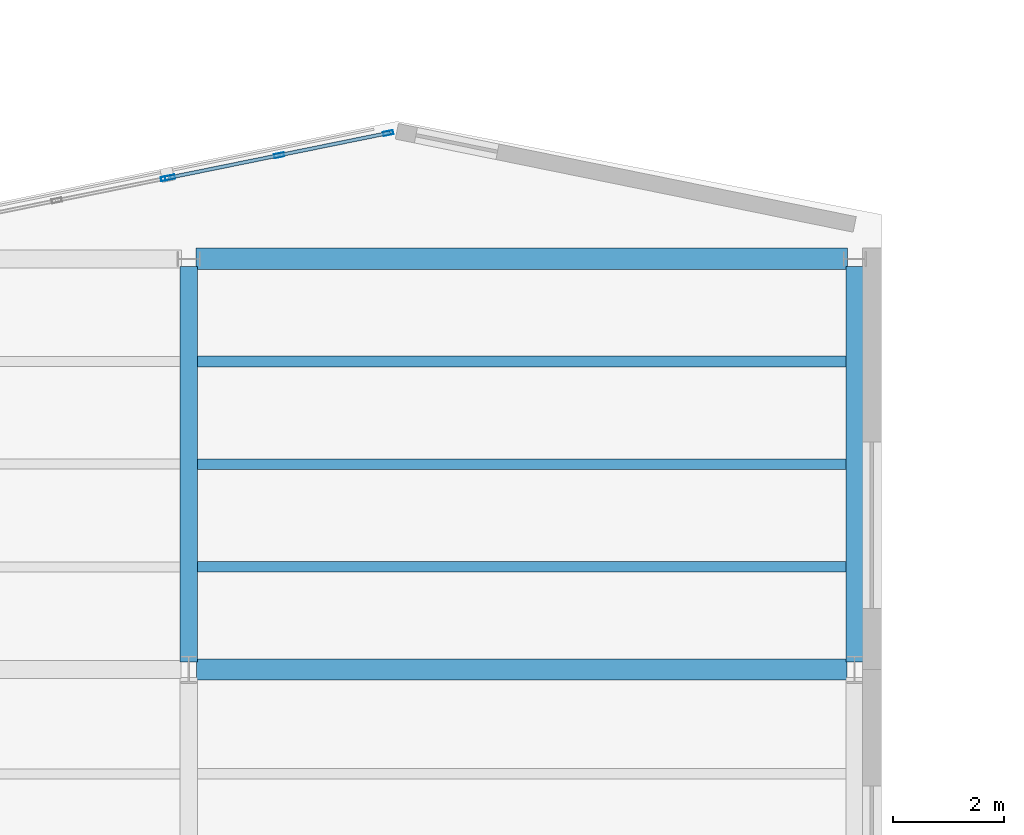
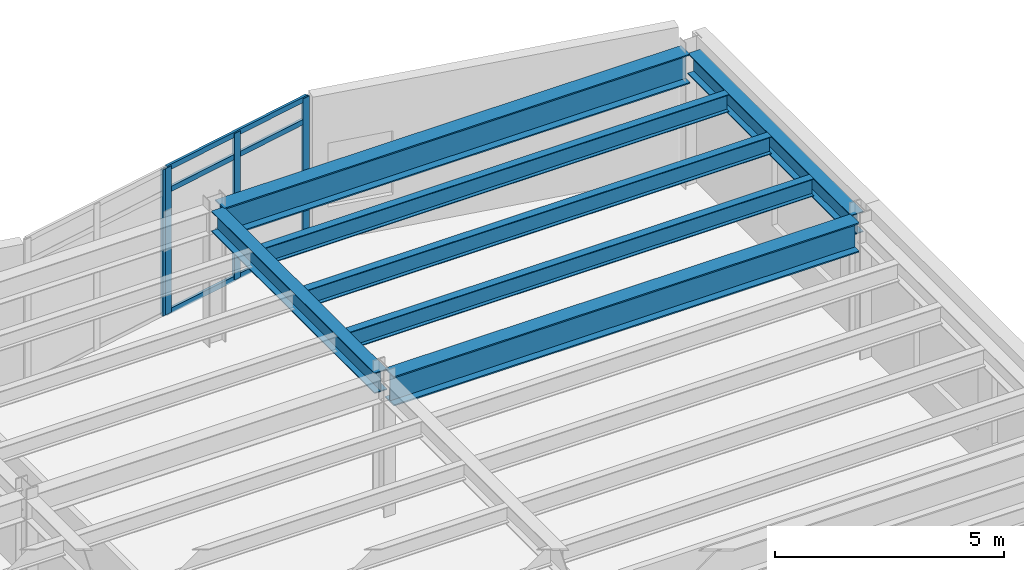
# One storey, part 24 of 59: 7 beams, 7 members, 2 elements without a shape of their own.
"""IFC4 building model written with IfcOpenShell, lengths in metres."""

from ifc_helpers import new_model, si_unit, direction, frame, origin, origin_2d, place, context, subcontext, project, spatial, hollow_rectangle, i_section, extrude, material, layer, layer_set, material_profile, profile_set, type_object, element, aggregate, save


model = new_model("IFC4")

# Units and contexts
model_context = context("Model", 3, precision=1e-05, world=origin(), true_north=direction((0.0, 1.0)))
body_context = subcontext(model_context, "Body", "Model", "MODEL_VIEW")
ifc_project = project(units=[si_unit("LENGTHUNIT", "METRE"), si_unit("AREAUNIT", "SQUARE_METRE"), si_unit("VOLUMEUNIT", "CUBIC_METRE"), si_unit("PLANEANGLEUNIT", "RADIAN"), si_unit("MASSUNIT", "GRAM", prefix="KILO")], contexts=[model_context])

# Site, building, storey
site_placement = place(None, origin())
site = spatial("IfcSite", under=ifc_project, at=site_placement, CompositionType="ELEMENT")
building_placement = place(site_placement, origin())
building = spatial("IfcBuilding", under=site, at=building_placement, Name="Sollismere Congress Hotel", CompositionType="ELEMENT")
storey_placement = place(building_placement, frame((0.0, 0.0, 15.60009765625)))
storey = spatial("IfcBuildingStorey", under=building, at=storey_placement, Name="L03", CompositionType="ELEMENT", Elevation=15.60009765625)

# Beams
ifc_material_1 = material(Name="Steel ASTM A992 Grade 50", Category="steel")
ifc_material_profile_1 = material_profile(ifc_material_1, i_section(OverallWidth=0.31494140625, OverallDepth=0.551025390625, WebThickness=0.01513671875, FlangeThickness=0.0244140625, at=origin_2d()), Name="W21X122")
ifc_profile_set_1 = profile_set([ifc_material_profile_1], Name="Steel ASTM A992 Grade 50")
beam_type_1 = type_object("IfcBeamType", Name="BM-G21H", PredefinedType="BEAM", material=ifc_profile_set_1)
for number, where, z_axis, x_axis, name in (
    (1, (112.0, 95.139892578125, 3.349365234375), (0.0, 1.0, 0.0), (-1.0, 0.0, 0.0), "Beam BM-L03-2453"),
    (2, (124.0, 95.139892578125, 3.349365234375), (0.0, 1.0, 0.0), (-1.0, 0.0, 0.0), "Beam BM-L03-2458"),
):
    element("IfcBeam", number, at=place(storey_placement, frame(where, z_axis=z_axis, x_axis=x_axis)), inside=storey, type_object=beam_type_1, Name=name, PredefinedType="BEAM", context=body_context, shape_type="SweptSolid", body=[
        extrude(i_section(OverallWidth=0.31494140625, OverallDepth=0.551025390625, WebThickness=0.01513671875, FlangeThickness=0.0244140625, at=origin_2d()), origin(), (0.0, 0.0, 1.0), 7.1201171875),
    ])
ifc_material_profile_2 = material_profile(ifc_material_1, i_section(OverallWidth=0.384033203125, OverallDepth=0.787109375, WebThickness=0.019775390625, FlangeThickness=0.033447265625, at=origin_2d()), Name="W30X211")
ifc_profile_set_2 = profile_set([ifc_material_profile_2], Name="Steel ASTM A992 Grade 50")
beam_type_2 = type_object("IfcBeamType", Name="BM-G30", PredefinedType="BEAM", material=ifc_profile_set_2)
beam_1_placement = place(storey_placement, frame((112.139892578125, 95.0, 3.2314453125), z_axis=(1.0, 0.0, 0.0), x_axis=(0.0, 1.0, 0.0)))
element("IfcBeam", 3, at=beam_1_placement, inside=storey, type_object=beam_type_2, Name="Beam BM-L03-2397", PredefinedType="BEAM", context=body_context, shape_type="SweptSolid", body=[
    extrude(i_section(OverallWidth=0.384033203125, OverallDepth=0.787109375, WebThickness=0.019775390625, FlangeThickness=0.033447265625, at=origin_2d()), origin(), (0.0, 0.0, 1.0), 11.72021484375),
])
beam_2_placement = place(storey_placement, frame((112.131103515625, 102.39990234375, 3.2314453125), z_axis=(1.0, 0.0, 0.0), x_axis=(0.0, 1.0, 0.0)))
element("IfcBeam", 4, at=beam_2_placement, inside=storey, type_object=beam_type_2, Name="Beam BM-L03-2404", PredefinedType="BEAM", context=body_context, shape_type="SweptSolid", body=[
    extrude(i_section(OverallWidth=0.384033203125, OverallDepth=0.787109375, WebThickness=0.019775390625, FlangeThickness=0.033447265625, at=origin_2d()), origin(), (0.0, 0.0, 1.0), 11.73779296875),
])
ifc_material_profile_3 = material_profile(ifc_material_1, i_section(OverallWidth=0.193115234375, OverallDepth=0.467041015625, WebThickness=0.011474609375, FlangeThickness=0.01904296875, at=origin_2d()), Name="W18X65")
ifc_profile_set_3 = profile_set([ifc_material_profile_3], Name="Steel ASTM A992 Grade 50")
beam_type_3 = type_object("IfcBeamType", Name="BM-J18", PredefinedType="JOIST", material=ifc_profile_set_3)
for number, where, z_axis, x_axis, name in (
    (5, (112.157470703125, 96.85009765625, 3.391357421875), (1.0, 0.0, 0.0), (0.0, 1.0, 0.0), "Beam BM-L03-2610"),
    (6, (112.157470703125, 98.699951171875, 3.391357421875), (1.0, 0.0, 0.0), (0.0, 1.0, 0.0), "Beam BM-L03-2611"),
    (7, (112.157470703125, 100.550048828125, 3.391357421875), (1.0, 0.0, 0.0), (0.0, 1.0, 0.0), "Beam BM-L03-2612"),
):
    element("IfcBeam", number, at=place(storey_placement, frame(where, z_axis=z_axis, x_axis=x_axis)), inside=storey, type_object=beam_type_3, Name=name, PredefinedType="JOIST", context=body_context, shape_type="SweptSolid", body=[
        extrude(i_section(OverallWidth=0.193115234375, OverallDepth=0.467041015625, WebThickness=0.011474609375, FlangeThickness=0.01904296875, at=origin_2d()), origin(), (0.0, 0.0, 1.0), 11.68505859375),
    ])

# Curtain wall, member
ifc_material_2 = material(Name="Anodized Bronze Curtain Wall & Low-E Triple Glazing", Category="glass")
ifc_layer = layer(ifc_material_2, 0.199951171875, Name="Anodized Bronze Curtain Wall & Low-E Triple Glazing")
ifc_layer_set = layer_set([ifc_layer], Name="Anodized Bronze Curtain Wall & Low-E Triple Glazing")
curtain_wall_type = type_object("IfcCurtainWallType", Name="CW-GLZ36", PredefinedType="USERDEFINED", material=ifc_layer_set)
curtain_wall_1_placement = place(storey_placement, origin())
curtain_wall_1 = element("IfcCurtainWall", 8, at=curtain_wall_1_placement, inside=storey, type_object=curtain_wall_type, Name="Unitised curtain wall CW-L03-111", ObjectType="UNITISED CURTAIN WALL", PredefinedType="USERDEFINED")
ifc_material_3 = material(Name="Anodized Aluminum 6063-T6", Category="aluminium")
ifc_material_profile_4 = material_profile(ifc_material_3, hollow_rectangle(XDim=0.074951171875, YDim=0.179931640625, WallThickness=0.0048828125, at=origin_2d()), Name="ALU180X75X5")
ifc_profile_set_4 = profile_set([ifc_material_profile_4], Name="Anodized Aluminum 6063-T6")
member_type_1 = type_object("IfcMemberType", Name="ML-CW180", PredefinedType="MULLION", material=ifc_profile_set_4)
member_1_placement = place(storey_placement, frame((111.587890625, 103.851806640625, 0.0), z_axis=(0.0, 0.0, 1.0), x_axis=(-0.199367934417, 0.979924704621, 0.0)))
member_1 = element("IfcMember", 9, at=member_1_placement, type_object=member_type_1, Name="CWL-CW-L03-111-ML03", PredefinedType="MULLION", context=body_context, shape_type="SweptSolid", body=[
    extrude(hollow_rectangle(XDim=0.074951171875, YDim=0.179931640625, WallThickness=0.0048828125, at=origin_2d()), origin(), (0.0, 0.0, 1.0), 3.89990234375),
])
aggregate(curtain_wall_1, [member_1])

# Curtain wall, members
curtain_wall_2_placement = place(storey_placement, origin())
curtain_wall_2 = element("IfcCurtainWall", 10, at=curtain_wall_2_placement, inside=storey, type_object=curtain_wall_type, Name="Unitised curtain wall CW-L03-112", ObjectType="UNITISED CURTAIN WALL", PredefinedType="USERDEFINED")
member_2_placement = place(storey_placement, frame((111.662109375, 103.86669921875, 0.0), z_axis=(0.0, 0.0, 1.0), x_axis=(-0.199367934417, 0.979924704621, 0.0)))
member_2 = element("IfcMember", 11, at=member_2_placement, type_object=member_type_1, Name="CWL-CW-L03-112-ML01", PredefinedType="MULLION", context=body_context, shape_type="SweptSolid", body=[
    extrude(hollow_rectangle(XDim=0.074951171875, YDim=0.179931640625, WallThickness=0.0048828125, at=origin_2d()), origin(), (0.0, 0.0, 1.0), 3.89990234375),
])
member_3_placement = place(storey_placement, frame((113.628662109375, 104.266845703125, 0.0), z_axis=(0.0, 0.0, 1.0), x_axis=(-0.199367934417, 0.979924704621, 0.0)))
member_3 = element("IfcMember", 12, at=member_3_placement, type_object=member_type_1, Name="CWL-CW-L03-112-ML02", PredefinedType="MULLION", context=body_context, shape_type="SweptSolid", body=[
    extrude(hollow_rectangle(XDim=0.074951171875, YDim=0.179931640625, WallThickness=0.0048828125, at=origin_2d()), origin(), (0.0, 0.0, 1.0), 3.89990234375),
])
member_4_placement = place(storey_placement, frame((115.59521484375, 104.6669921875, 0.0), z_axis=(0.0, 0.0, 1.0), x_axis=(-0.199367934417, 0.979924704621, 0.0)))
member_4 = element("IfcMember", 13, at=member_4_placement, type_object=member_type_1, Name="CWL-CW-L03-112-ML03", PredefinedType="MULLION", context=body_context, shape_type="SweptSolid", body=[
    extrude(hollow_rectangle(XDim=0.074951171875, YDim=0.179931640625, WallThickness=0.0048828125, at=origin_2d()), origin(), (0.0, 0.0, 1.0), 3.89990234375),
])
ifc_material_profile_5 = material_profile(ifc_material_3, hollow_rectangle(XDim=0.06494140625, YDim=0.139892578125, WallThickness=0.00390625, at=origin_2d()), Name="ALU140X65X4")
ifc_profile_set_5 = profile_set([ifc_material_profile_5], Name="Anodized Aluminum 6063-T6")
member_type_2 = type_object("IfcMemberType", Name="TR-CW150", PredefinedType="MEMBER", material=ifc_profile_set_5)
member_5_placement = place(storey_placement, frame((111.625, 103.859375, 0.032470703125), z_axis=(0.979930139944, 0.199341217087, 0.0), x_axis=(-0.199341217087, 0.979930139944, 0.0)))
member_5 = element("IfcMember", 14, at=member_5_placement, type_object=member_type_2, Name="CWL-CW-L03-112-TR1", PredefinedType="MEMBER", context=body_context, shape_type="SweptSolid", body=[
    extrude(hollow_rectangle(XDim=0.06494140625, YDim=0.139892578125, WallThickness=0.00390625, at=origin_2d()), origin(), (0.0, 0.0, 1.0), 4.08935546875),
])
member_6_placement = place(storey_placement, frame((111.625, 103.859375, 3.27587890625), z_axis=(0.979930139944, 0.199341217087, 0.0), x_axis=(-0.199341217087, 0.979930139944, 0.0)))
member_6 = element("IfcMember", 15, at=member_6_placement, type_object=member_type_2, Name="CWL-CW-L03-112-TR2", PredefinedType="MEMBER", context=body_context, shape_type="SweptSolid", body=[
    extrude(hollow_rectangle(XDim=0.06494140625, YDim=0.139892578125, WallThickness=0.00390625, at=origin_2d()), origin(), (0.0, 0.0, 1.0), 4.08935546875),
])
member_7_placement = place(storey_placement, frame((111.625, 103.859375, 3.867431640625), z_axis=(0.979930139944, 0.199341217087, 0.0), x_axis=(-0.199341217087, 0.979930139944, 0.0)))
member_7 = element("IfcMember", 16, at=member_7_placement, type_object=member_type_2, Name="CWL-CW-L03-112-TR3", PredefinedType="MEMBER", context=body_context, shape_type="SweptSolid", body=[
    extrude(hollow_rectangle(XDim=0.06494140625, YDim=0.139892578125, WallThickness=0.00390625, at=origin_2d()), origin(), (0.0, 0.0, 1.0), 4.08935546875),
])
aggregate(curtain_wall_2, [member_2, member_3, member_4, member_5, member_6, member_7])

save(model, "model.ifc")
